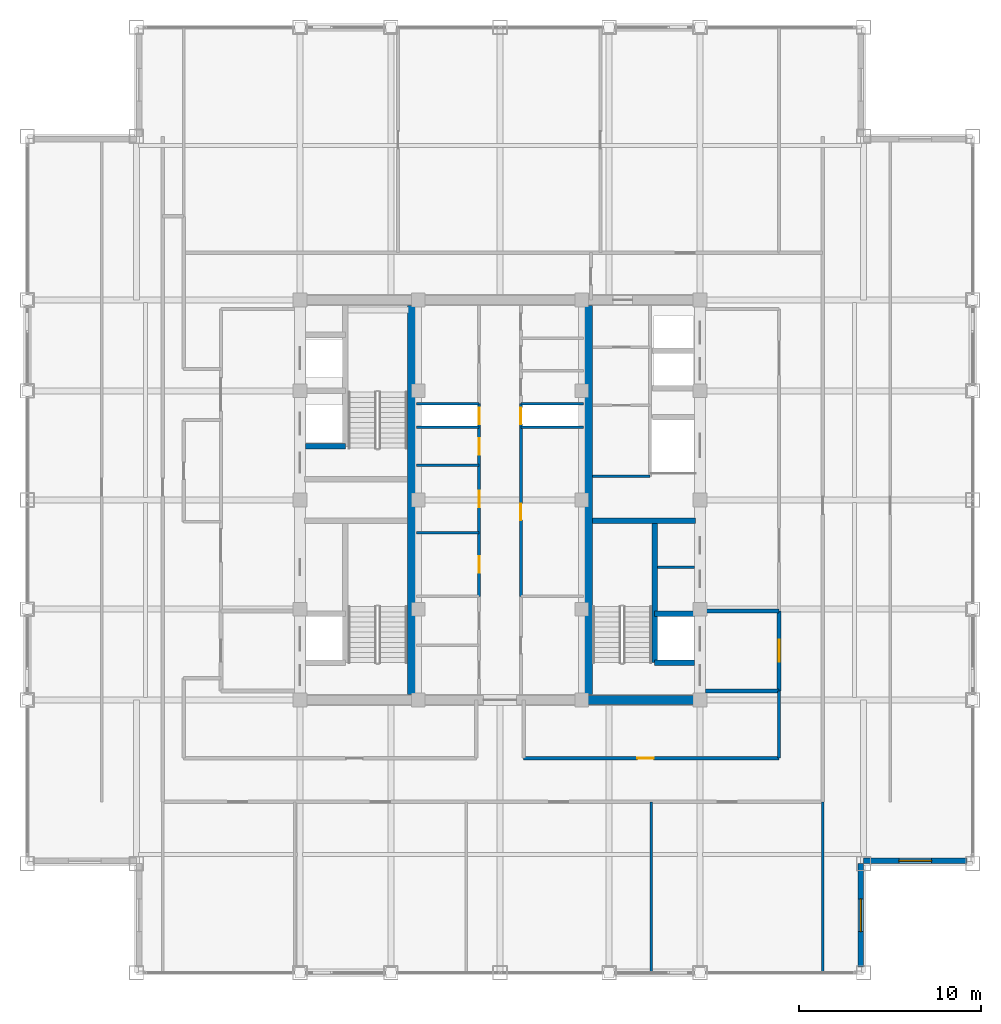
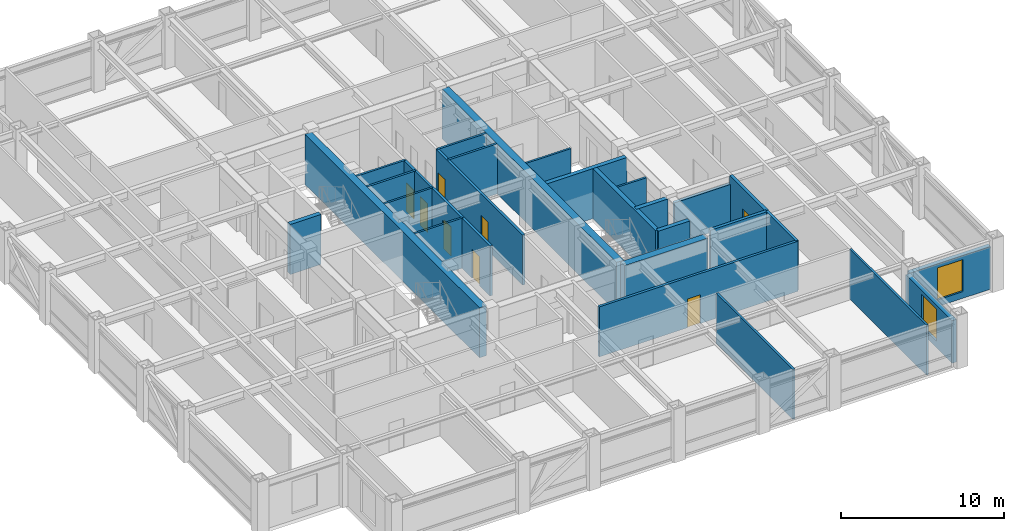
# One storey, part 25 of 28: 27 walls, 8 doors, 2 windows, 10 openings.
"""IFC4 building model written with IfcOpenShell, lengths in metres."""

from ifc_helpers import new_model, si_unit, direction, frame, frame_2d, origin, place, context, subcontext, project, spatial, rectangle, extrude, source, transform, mapped, material, layer, layer_set, type_object, element, fill, save


model = new_model("IFC4")

# Units and contexts
model_context = context("Model", 3, precision=1e-05, world=origin(), true_north=direction((0.0, 1.0)))
body_context = subcontext(model_context, "Body", "Model", "MODEL_VIEW")
ifc_project = project(units=[si_unit("LENGTHUNIT", "METRE"), si_unit("AREAUNIT", "SQUARE_METRE"), si_unit("VOLUMEUNIT", "CUBIC_METRE"), si_unit("PLANEANGLEUNIT", "RADIAN"), si_unit("MASSUNIT", "GRAM", prefix="KILO")], contexts=[model_context])

# Site, building, storey
site_placement = place(None, origin())
site = spatial("IfcSite", under=ifc_project, at=site_placement, CompositionType="ELEMENT")
building_placement = place(site_placement, origin())
building = spatial("IfcBuilding", under=site, at=building_placement, Name="Khorayat Bourse Tower", CompositionType="ELEMENT")
storey_placement = place(building_placement, frame((0.0, 0.0, 330.300048828125)))
storey = spatial("IfcBuildingStorey", under=building, at=storey_placement, Name="L78", CompositionType="ELEMENT", Elevation=330.300048828125)

# Walls
ifc_material_1 = material(Name="Concrete C52/65", Category="concrete")
ifc_layer_1 = layer(ifc_material_1, 0.5)
ifc_layer_set_1 = layer_set([ifc_layer_1], Name="Concrete C52/65")
wall_type_1 = type_object("IfcWallType", Name="WAL-CORE-500", PredefinedType="SHEAR", material=ifc_layer_set_1)
shared_shape_1 = source(origin(), body_context, "Body", "SweptSolid", [
    extrude(rectangle(XDim=21.39990234375, YDim=0.5, at=frame_2d((10.699951171875, 0.0))), origin(), (0.0, 0.0, 1.0), 3.739990234375),
])
for number, where, z_axis, x_axis, name in (
    (1, (-4.85009765625, -10.699951171875, 0.0), (0.0, 0.0, 1.0), (0.0, 1.0, 0.0), "L78 Core Shear Wall PIER-W"),
    (2, (4.85009765625, -10.699951171875, 0.0), (0.0, 0.0, 1.0), (0.0, 1.0, 0.0), "L78 Core Shear Wall PIER-E"),
):
    element("IfcWall", number, at=place(storey_placement, frame(where, z_axis=z_axis, x_axis=x_axis)), inside=storey, type_object=wall_type_1, Name=name, PredefinedType="SHEAR", context=body_context, shape_type="MappedRepresentation", body=[
        mapped(shared_shape_1, transform((0.0, 0.0, 0.0), scale=1.0)),
    ])
shared_shape_2 = source(origin(), body_context, "Body", "SweptSolid", [
    extrude(rectangle(XDim=5.89990234375, YDim=0.5, at=frame_2d((2.949951171875, 0.0))), origin(), (0.0, 0.0, 1.0), 3.739990234375),
])
wall_1_placement = place(storey_placement, frame((4.85009765625, -11.0, 0.0), z_axis=(0.0, 0.0, 1.0), x_axis=(1.0, 0.0, 0.0)))
element("IfcWall", 3, at=wall_1_placement, inside=storey, type_object=wall_type_1, Name="L78 Core Shear Wall PIER-ES", PredefinedType="SHEAR", context=body_context, shape_type="MappedRepresentation", body=[
    mapped(shared_shape_2, transform((0.0, 0.0, 0.0), scale=1.0)),
])
ifc_material_2 = material(Name="Concrete C50/60", Category="concrete")
ifc_layer_2 = layer(ifc_material_2, 0.300048828125)
ifc_layer_set_2 = layer_set([ifc_layer_2], Name="Concrete C50/60")
wall_type_2 = type_object("IfcWallType", Name="WAL-SHAFT-300", PredefinedType="SHEAR", material=ifc_layer_set_2)
shared_shape_3 = source(origin(), body_context, "Body", "SweptSolid", [
    extrude(rectangle(XDim=5.64990234375, YDim=0.300048828125, at=frame_2d((2.824951171875, 0.0))), origin(), (0.0, 0.0, 1.0), 3.739990234375),
])
wall_2_placement = place(storey_placement, frame((5.10009765625, -1.14990234375, 0.0), z_axis=(0.0, 0.0, 1.0), x_axis=(1.0, 0.0, 0.0)))
element("IfcWall", 4, at=wall_2_placement, inside=storey, type_object=wall_type_2, Name="L78 Core Shear Wall ST3-DIV", PredefinedType="SHEAR", context=body_context, shape_type="MappedRepresentation", body=[
    mapped(shared_shape_3, transform((0.0, 0.0, 0.0), scale=1.0)),
])

# Wall, opening, window
ifc_material_3 = material(Name="Precast concrete C45/55", Category="concrete")
ifc_layer_3 = layer(ifc_material_3, 0.320068359375)
ifc_layer_set_3 = layer_set([ifc_layer_3], Name="Precast concrete C45/55")
wall_type_3 = type_object("IfcWallType", Name="WAL-EXT-STONE-320", PredefinedType="STANDARD", material=ifc_layer_set_3)
shared_shape_4 = source(origin(), body_context, "Body", "SweptSolid", [
    extrude(rectangle(XDim=5.679931640625, YDim=0.320068359375, at=frame_2d((2.83984375, 0.0))), origin(), (0.0, 0.0, 1.0), 3.19091796875),
])
wall_3_placement = place(storey_placement, frame((19.840087890625, -25.679931640625, 0.0), z_axis=(0.0, 0.0, 1.0), x_axis=(0.0, 1.0, 0.0)))
wall_3 = element("IfcWall", 5, at=wall_3_placement, inside=storey, type_object=wall_type_3, Name="L78 Re-Entrant Notch Limestone Wall SE-V", PredefinedType="STANDARD", context=body_context, shape_type="MappedRepresentation", body=[
    mapped(shared_shape_4, transform((0.0, 0.0, 0.0), scale=1.0)),
])
shared_shape_5 = source(origin(), body_context, "Body", "SweptSolid", [
    extrude(rectangle(XDim=1.800048828125, YDim=2.39990234375, at=frame_2d((0.89990234375, 1.199951171875))), frame((0.0, 0.169921875, 0.0), z_axis=(0.0, -1.0, 0.0), x_axis=(1.0, 0.0, 0.0)), (0.0, 0.0, 1.0), 0.340087890625),
])
opening_1_placement = place(wall_3_placement, frame((1.93994140625, 0.0, 0.5)))
opening_1 = element("IfcOpeningElement", 6, at=opening_1_placement, cuts=wall_3, Name="Opening WN-04", PredefinedType="OPENING", context=body_context, shape_type="MappedRepresentation", body=[
    mapped(shared_shape_5, transform((0.0, 0.0, 0.0), scale=1.0)),
])
ifc_material_4 = material(Name="Low-E acoustic laminated double glazing", Category="glass")
window_type = type_object("IfcWindowType", Name="WIN-NOTCH-1800x2400", PartitioningType="SINGLE_PANEL", PredefinedType="WINDOW", material=ifc_material_4)
shared_shape_6 = source(origin(), body_context, "Body", "SweptSolid", [
    extrude(rectangle(XDim=1.800048828125, YDim=2.39990234375, at=frame_2d((0.89990234375, 1.199951171875))), frame((0.0, 0.030029296875, 0.0), z_axis=(0.0, -1.0, 0.0), x_axis=(1.0, 0.0, 0.0)), (0.0, 0.0, 1.0), 0.06005859375),
])
window_1_placement = place(opening_1_placement, origin())
window_1 = element("IfcWindow", 7, at=window_1_placement, inside=storey, type_object=window_type, Name="L78 Facade Window 1", OverallHeight=2.39990234375, OverallWidth=1.800048828125, PartitioningType="SINGLE_PANEL", PredefinedType="WINDOW", context=body_context, shape_type="MappedRepresentation", body=[
    mapped(shared_shape_6, transform((0.0, 0.0, 0.0), scale=1.0)),
])
fill(opening_1, window_1)

wall_4_placement = place(storey_placement, frame((20.0, -19.840087890625, 0.0), z_axis=(0.0, 0.0, 1.0), x_axis=(1.0, 0.0, 0.0)))
wall_4 = element("IfcWall", 8, at=wall_4_placement, inside=storey, type_object=wall_type_3, Name="L78 Re-Entrant Notch Limestone Wall SE-H", PredefinedType="STANDARD", context=body_context, shape_type="MappedRepresentation", body=[
    mapped(shared_shape_4, transform((0.0, 0.0, 0.0), scale=1.0)),
])
opening_2_placement = place(wall_4_placement, frame((1.93994140625, 0.0, 0.5)))
opening_2 = element("IfcOpeningElement", 9, at=opening_2_placement, cuts=wall_4, Name="Opening WN-04", PredefinedType="OPENING", context=body_context, shape_type="MappedRepresentation", body=[
    mapped(shared_shape_5, transform((0.0, 0.0, 0.0), scale=1.0)),
])
window_2_placement = place(opening_2_placement, origin())
window_2 = element("IfcWindow", 10, at=window_2_placement, inside=storey, type_object=window_type, Name="L78 Facade Window 1", OverallHeight=2.39990234375, OverallWidth=1.800048828125, PartitioningType="SINGLE_PANEL", PredefinedType="WINDOW", context=body_context, shape_type="MappedRepresentation", body=[
    mapped(shared_shape_6, transform((0.0, 0.0, 0.0), scale=1.0)),
])
fill(opening_2, window_2)

# Walls
shared_shape_7 = source(origin(), body_context, "Body", "SweptSolid", [
    extrude(rectangle(XDim=7.800048828125, YDim=0.300048828125, at=frame_2d((3.89990234375, 0.0))), origin(), (0.0, 0.0, 1.0), 3.739990234375),
])
wall_5_placement = place(storey_placement, frame((8.5, -8.949951171875, 0.0), z_axis=(0.0, 0.0, 1.0), x_axis=(0.0, 1.0, 0.0)))
element("IfcWall", 11, at=wall_5_placement, inside=storey, type_object=wall_type_2, Name="L78 Partition WAL-L78-EPIER-SP", PredefinedType="SHEAR", context=body_context, shape_type="MappedRepresentation", body=[
    mapped(shared_shape_7, transform((0.0, 0.0, 0.0), scale=1.0)),
])
shared_shape_8 = source(origin(), body_context, "Body", "SweptSolid", [
    extrude(rectangle(XDim=2.199951171875, YDim=0.300048828125, at=frame_2d((1.10009765625, 0.0))), origin(), (0.0, 0.0, 1.0), 3.739990234375),
])
for number, where, z_axis, x_axis, name in (
    (12, (-10.699951171875, 2.949951171875, 0.0), (0.0, 0.0, 1.0), (1.0, 0.0, 0.0), "L78 Partition WAL-L78-WPIER-H1S"),
    (13, (8.5, -8.949951171875, 0.0), (0.0, 0.0, 1.0), (1.0, 0.0, 0.0), "L78 Partition WAL-L78-EPIER-FF2S"),
    (14, (8.5, -6.25, 0.0), (0.0, 0.0, 1.0), (1.0, 0.0, 0.0), "L78 Partition WAL-L78-EPIER-FF2N"),
):
    element("IfcWall", number, at=place(storey_placement, frame(where, z_axis=z_axis, x_axis=x_axis)), inside=storey, type_object=wall_type_2, Name=name, PredefinedType="SHEAR", context=body_context, shape_type="MappedRepresentation", body=[
        mapped(shared_shape_8, transform((0.0, 0.0, 0.0), scale=1.0)),
    ])
ifc_material_5 = material(Name="Gypsum plasterboard twin-frame partition")
ifc_layer_4 = layer(ifc_material_5, 0.14990234375)
ifc_layer_set_4 = layer_set([ifc_layer_4], Name="Gypsum plasterboard twin-frame partition")
wall_type_4 = type_object("IfcWallType", Name="WAL-PART-SUITE-150", PredefinedType="PARTITIONING", material=ifc_layer_set_4)
shared_shape_9 = source(origin(), body_context, "Body", "SweptSolid", [
    extrude(rectangle(XDim=2.050048828125, YDim=0.14990234375, at=frame_2d((1.02490234375, 0.0))), origin(), (0.0, 0.0, 1.0), 3.739990234375),
])
wall_6_placement = place(storey_placement, frame((8.64990234375, -3.699951171875, 0.0), z_axis=(0.0, 0.0, 1.0), x_axis=(1.0, 0.0, 0.0)))
element("IfcWall", 15, at=wall_6_placement, inside=storey, type_object=wall_type_4, Name="L78 Partition WAL-L78-ESRV-D1", PredefinedType="PARTITIONING", context=body_context, shape_type="MappedRepresentation", body=[
    mapped(shared_shape_9, transform((0.0, 0.0, 0.0), scale=1.0)),
])
ifc_material_6 = material(Name="Moisture-resistant masonry partition", Category="masonry")
ifc_layer_5 = layer(ifc_material_6, 0.139892578125)
ifc_layer_set_5 = layer_set([ifc_layer_5], Name="Moisture-resistant masonry partition")
wall_type_5 = type_object("IfcWallType", Name="WAL-PART-WET-140", PredefinedType="PARTITIONING", material=ifc_layer_set_5)
shared_shape_10 = source(origin(), body_context, "Body", "SweptSolid", [
    extrude(rectangle(XDim=3.14990234375, YDim=0.139892578125, at=frame_2d((1.574951171875, 0.0))), origin(), (0.0, 0.0, 1.0), 3.739990234375),
])
wall_7_placement = place(storey_placement, frame((5.10009765625, 1.300048828125, 0.0), z_axis=(0.0, 0.0, 1.0), x_axis=(1.0, 0.0, 0.0)))
element("IfcWall", 16, at=wall_7_placement, inside=storey, type_object=wall_type_5, Name="L78 Partition WAL-L78-ECORE-S", PredefinedType="PARTITIONING", context=body_context, shape_type="MappedRepresentation", body=[
    mapped(shared_shape_10, transform((0.0, 0.0, 0.0), scale=1.0)),
])
ifc_material_7 = material(Name="Aerated concrete blockwork", Category="masonry")
ifc_layer_6 = layer(ifc_material_7, 0.219970703125)
ifc_layer_set_6 = layer_set([ifc_layer_6], Name="Aerated concrete blockwork")
wall_type_6 = type_object("IfcWallType", Name="WAL-PART-FF-220", PredefinedType="PARTITIONING", material=ifc_layer_set_6)
shared_shape_11 = source(origin(), body_context, "Body", "SweptSolid", [
    extrude(rectangle(XDim=4.050048828125, YDim=0.219970703125, at=frame_2d((2.02490234375, 0.0))), origin(), (0.0, 0.0, 1.0), 3.739990234375),
])
wall_8_placement = place(storey_placement, frame((11.300048828125, -10.5, 0.0), z_axis=(0.0, 0.0, 1.0), x_axis=(1.0, 0.0, 0.0)))
element("IfcWall", 17, at=wall_8_placement, inside=storey, type_object=wall_type_6, Name="L78 Partition WAL-L78-FFLE-S", PredefinedType="PARTITIONING", context=body_context, shape_type="MappedRepresentation", body=[
    mapped(shared_shape_11, transform((0.0, 0.0, 0.0), scale=1.0)),
])
shared_shape_12 = source(origin(), body_context, "Body", "SweptSolid", [
    extrude(rectangle(XDim=4.050048828125, YDim=0.219970703125, at=frame_2d((2.02490234375, 0.0))), origin(), (0.0, 0.0, 1.0), 3.1240234375),
])
wall_9_placement = place(storey_placement, frame((11.300048828125, -6.10009765625, 0.0), z_axis=(0.0, 0.0, 1.0), x_axis=(1.0, 0.0, 0.0)))
element("IfcWall", 18, at=wall_9_placement, inside=storey, type_object=wall_type_6, Name="L78 Partition WAL-L78-FFLE-N", PredefinedType="PARTITIONING", context=body_context, shape_type="MappedRepresentation", body=[
    mapped(shared_shape_12, transform((0.0, 0.0, 0.0), scale=1.0)),
])

# Wall, opening, door
shared_shape_13 = source(origin(), body_context, "Body", "SweptSolid", [
    extrude(rectangle(XDim=4.39990234375, YDim=0.219970703125, at=frame_2d((2.199951171875, 0.0))), origin(), (0.0, 0.0, 1.0), 3.739990234375),
])
wall_10_placement = place(storey_placement, frame((15.35009765625, -10.5, 0.0), z_axis=(0.0, 0.0, 1.0), x_axis=(0.0, 1.0, 0.0)))
wall_10 = element("IfcWall", 19, at=wall_10_placement, inside=storey, type_object=wall_type_6, Name="L78 Partition WAL-L78-FFLE-E", PredefinedType="PARTITIONING", context=body_context, shape_type="MappedRepresentation", body=[
    mapped(shared_shape_13, transform((0.0, 0.0, 0.0), scale=1.0)),
])
shared_shape_14 = source(origin(), body_context, "Body", "SweptSolid", [
    extrude(rectangle(XDim=1.199951171875, YDim=2.199951171875, at=frame_2d((0.60009765625, 1.10009765625))), frame((0.0, 0.119873046875, 0.0), z_axis=(0.0, -1.0, 0.0), x_axis=(1.0, 0.0, 0.0)), (0.0, 0.0, 1.0), 0.239990234375),
])
opening_3_placement = place(wall_10_placement, frame((1.60009765625, 0.0, 0.0)))
opening_3 = element("IfcOpeningElement", 20, at=opening_3_placement, cuts=wall_10, Name="Opening DI-02", PredefinedType="OPENING", context=body_context, shape_type="MappedRepresentation", body=[
    mapped(shared_shape_14, transform((0.0, 0.0, 0.0), scale=1.0)),
])
ifc_material_8 = material(Name="Fire-rated steel double-seal leaf", Category="steel")
door_type_1 = type_object("IfcDoorType", Name="DR-INT-FFLOBBY-1200", OperationType="NOTDEFINED", PredefinedType="DOOR", material=ifc_material_8)
shared_shape_15 = source(origin(), body_context, "Body", "SweptSolid", [
    extrude(rectangle(XDim=1.199951171875, YDim=2.199951171875, at=frame_2d((0.60009765625, 1.10009765625))), frame((0.0, 0.02490234375, 0.0), z_axis=(0.0, -1.0, 0.0), x_axis=(1.0, 0.0, 0.0)), (0.0, 0.0, 1.0), 0.050048828125),
])
door_1_placement = place(opening_3_placement, origin())
door_1 = element("IfcDoor", 21, at=door_1_placement, inside=storey, type_object=door_type_1, Name="L78 East Firefighting Lobby Door", OperationType="SINGLE_SWING_RIGHT", OverallHeight=2.199951171875, OverallWidth=1.199951171875, PredefinedType="DOOR", context=body_context, shape_type="MappedRepresentation", body=[
    mapped(shared_shape_15, transform((0.0, 0.0, 0.0), scale=1.0)),
])
fill(opening_3, door_1)

# Walls
shared_shape_16 = source(origin(), body_context, "Body", "SweptSolid", [
    extrude(rectangle(XDim=3.4501953125, YDim=0.14990234375, at=frame_2d((1.72509765625, 0.0))), origin(), (0.0, 0.0, 1.0), 3.739990234375),
])
for number, where, z_axis, x_axis, name in (
    (22, (-4.60009765625, 4.0, 0.0), (0.0, 0.0, 1.0), (1.0, 0.0, 0.0), "L78 Partition WAL-L78-CRSW-S"),
    (23, (1.14990234375, 4.0, 0.0), (0.0, 0.0, 1.0), (1.0, 0.0, 0.0), "L78 Partition WAL-L78-CRSE-S"),
    (24, (-4.60009765625, 5.300048828125, 0.0), (0.0, 0.0, 1.0), (1.0, 0.0, 0.0), "L78 Partition WAL-L78-FB2-SW"),
    (25, (1.14990234375, 5.300048828125, 0.0), (0.0, 0.0, 1.0), (1.0, 0.0, 0.0), "L78 Partition WAL-L78-FB2-SE"),
):
    element("IfcWall", number, at=place(storey_placement, frame(where, z_axis=z_axis, x_axis=x_axis)), inside=storey, type_object=wall_type_4, Name=name, PredefinedType="PARTITIONING", context=body_context, shape_type="MappedRepresentation", body=[
        mapped(shared_shape_16, transform((0.0, 0.0, 0.0), scale=1.0)),
    ])
shared_shape_17 = source(origin(), body_context, "Body", "SweptSolid", [
    extrude(rectangle(XDim=3.4501953125, YDim=0.139892578125, at=frame_2d((1.72509765625, 0.0))), origin(), (0.0, 0.0, 1.0), 3.739990234375),
])
for number, where, z_axis, x_axis, name in (
    (26, (-4.60009765625, -1.800048828125, 0.0), (0.0, 0.0, 1.0), (1.0, 0.0, 0.0), "L78 Partition WAL-L78-CMW-D1"),
    (27, (-4.60009765625, 1.89990234375, 0.0), (0.0, 0.0, 1.0), (1.0, 0.0, 0.0), "L78 Partition WAL-L78-CMW-D2"),
):
    element("IfcWall", number, at=place(storey_placement, frame(where, z_axis=z_axis, x_axis=x_axis)), inside=storey, type_object=wall_type_5, Name=name, PredefinedType="PARTITIONING", context=body_context, shape_type="MappedRepresentation", body=[
        mapped(shared_shape_17, transform((0.0, 0.0, 0.0), scale=1.0)),
    ])

# Wall, openings, doors
ifc_material_9 = material(Name="Gypsum plasterboard acoustic stud wall")
ifc_layer_7 = layer(ifc_material_9, 0.179931640625)
ifc_layer_set_7 = layer_set([ifc_layer_7], Name="Gypsum plasterboard acoustic stud wall")
wall_type_7 = type_object("IfcWallType", Name="WAL-PART-CORR-180", PredefinedType="PARTITIONING", material=ifc_layer_set_7)
shared_shape_18 = source(origin(), body_context, "Body", "SweptSolid", [
    extrude(rectangle(XDim=10.60009765625, YDim=0.179931640625, at=frame_2d((5.300048828125, 0.0))), origin(), (0.0, 0.0, 1.0), 3.739990234375),
])
wall_11_placement = place(storey_placement, frame((-1.14990234375, -5.300048828125, 0.0), z_axis=(0.0, 0.0, 1.0), x_axis=(0.0, 1.0, 0.0)))
wall_11 = element("IfcWall", 28, at=wall_11_placement, inside=storey, type_object=wall_type_7, Name="L78 Partition WAL-L78-CMW-L", PredefinedType="PARTITIONING", context=body_context, shape_type="MappedRepresentation", body=[
    mapped(shared_shape_18, transform((0.0, 0.0, 0.0), scale=1.0)),
])
shared_shape_19 = source(origin(), body_context, "Body", "SweptSolid", [
    extrude(rectangle(XDim=0.89990234375, YDim=2.14990234375, at=frame_2d((0.449951171875, 1.074951171875))), frame((0.0, 0.099853515625, 0.0), z_axis=(0.0, -1.0, 0.0), x_axis=(1.0, 0.0, 0.0)), (0.0, 0.0, 1.0), 0.199951171875),
])
opening_4_placement = place(wall_11_placement, frame((1.300048828125, 0.0, 0.0)))
opening_4 = element("IfcOpeningElement", 29, at=opening_4_placement, cuts=wall_11, Name="Opening DI-06", PredefinedType="OPENING", context=body_context, shape_type="MappedRepresentation", body=[
    mapped(shared_shape_19, transform((0.0, 0.0, 0.0), scale=1.0)),
])
opening_5_placement = place(wall_11_placement, frame((4.89990234375, 0.0, 0.0)))
opening_5 = element("IfcOpeningElement", 30, at=opening_5_placement, cuts=wall_11, Name="Opening DI-06", PredefinedType="OPENING", context=body_context, shape_type="MappedRepresentation", body=[
    mapped(shared_shape_19, transform((0.0, 0.0, 0.0), scale=1.0)),
])
opening_6_placement = place(wall_11_placement, frame((7.800048828125, 0.0, 0.0)))
opening_6 = element("IfcOpeningElement", 31, at=opening_6_placement, cuts=wall_11, Name="Opening DI-06", PredefinedType="OPENING", context=body_context, shape_type="MappedRepresentation", body=[
    mapped(shared_shape_19, transform((0.0, 0.0, 0.0), scale=1.0)),
])
opening_7_placement = place(wall_11_placement, frame((9.47509765625, 0.0, 0.0)))
opening_7 = element("IfcOpeningElement", 32, at=opening_7_placement, cuts=wall_11, Name="Opening DI-06", PredefinedType="OPENING", context=body_context, shape_type="MappedRepresentation", body=[
    mapped(shared_shape_19, transform((0.0, 0.0, 0.0), scale=1.0)),
])
ifc_material_10 = material(Name="Moisture-resistant laminate washroom door")
door_type_2 = type_object("IfcDoorType", Name="DR-INT-WC-900", OperationType="NOTDEFINED", PredefinedType="DOOR", material=ifc_material_10)
shared_shape_20 = source(origin(), body_context, "Body", "SweptSolid", [
    extrude(rectangle(XDim=0.89990234375, YDim=2.14990234375, at=frame_2d((0.449951171875, 1.074951171875))), frame((0.0, 0.02490234375, 0.0), z_axis=(0.0, -1.0, 0.0), x_axis=(1.0, 0.0, 0.0)), (0.0, 0.0, 1.0), 0.050048828125),
])
door_2_placement = place(opening_4_placement, origin())
door_2 = element("IfcDoor", 33, at=door_2_placement, inside=storey, type_object=door_type_2, Name="L78 Male Core Washroom Door", OperationType="SINGLE_SWING_RIGHT", OverallHeight=2.14990234375, OverallWidth=0.89990234375, PredefinedType="DOOR", context=body_context, shape_type="MappedRepresentation", body=[
    mapped(shared_shape_20, transform((0.0, 0.0, 0.0), scale=1.0)),
])
fill(opening_4, door_2)
door_3_placement = place(opening_5_placement, origin())
door_3 = element("IfcDoor", 34, at=door_3_placement, inside=storey, type_object=door_type_2, Name="L78 AHU Fan Plant Room Door", OperationType="SINGLE_SWING_LEFT", OverallHeight=2.14990234375, OverallWidth=0.89990234375, PredefinedType="DOOR", context=body_context, shape_type="MappedRepresentation", body=[
    mapped(shared_shape_20, transform((0.0, 0.0, 0.0), scale=1.0)),
])
fill(opening_5, door_3)
door_4_placement = place(opening_6_placement, origin())
door_4 = element("IfcDoor", 35, at=door_4_placement, inside=storey, type_object=door_type_2, Name="L78 Janitor Store Door", OperationType="SINGLE_SWING_RIGHT", OverallHeight=2.14990234375, OverallWidth=0.89990234375, PredefinedType="DOOR", context=body_context, shape_type="MappedRepresentation", body=[
    mapped(shared_shape_20, transform((0.0, 0.0, 0.0), scale=1.0)),
])
fill(opening_6, door_4)
door_5_placement = place(opening_7_placement, origin())
door_5 = element("IfcDoor", 36, at=door_5_placement, inside=storey, type_object=door_type_2, Name="L78 West Core Riser Door", OperationType="SINGLE_SWING_LEFT", OverallHeight=2.14990234375, OverallWidth=0.89990234375, PredefinedType="DOOR", context=body_context, shape_type="MappedRepresentation", body=[
    mapped(shared_shape_20, transform((0.0, 0.0, 0.0), scale=1.0)),
])
fill(opening_7, door_5)

wall_12_placement = place(storey_placement, frame((1.14990234375, -5.300048828125, 0.0), z_axis=(0.0, 0.0, 1.0), x_axis=(0.0, 1.0, 0.0)))
wall_12 = element("IfcWall", 37, at=wall_12_placement, inside=storey, type_object=wall_type_7, Name="L78 Partition WAL-L78-CME-L", PredefinedType="PARTITIONING", context=body_context, shape_type="MappedRepresentation", body=[
    mapped(shared_shape_18, transform((0.0, 0.0, 0.0), scale=1.0)),
])
opening_8_placement = place(wall_12_placement, frame((4.199951171875, 0.0, 0.0)))
opening_8 = element("IfcOpeningElement", 38, at=opening_8_placement, cuts=wall_12, Name="Opening DI-06", PredefinedType="OPENING", context=body_context, shape_type="MappedRepresentation", body=[
    mapped(shared_shape_19, transform((0.0, 0.0, 0.0), scale=1.0)),
])
opening_9_placement = place(wall_12_placement, frame((9.47509765625, 0.0, 0.0)))
opening_9 = element("IfcOpeningElement", 39, at=opening_9_placement, cuts=wall_12, Name="Opening DI-06", PredefinedType="OPENING", context=body_context, shape_type="MappedRepresentation", body=[
    mapped(shared_shape_19, transform((0.0, 0.0, 0.0), scale=1.0)),
])
door_6_placement = place(opening_8_placement, origin())
door_6 = element("IfcDoor", 40, at=door_6_placement, inside=storey, type_object=door_type_2, Name="L78 Female Core Washroom Door", OperationType="SINGLE_SWING_RIGHT", OverallHeight=2.14990234375, OverallWidth=0.89990234375, PredefinedType="DOOR", context=body_context, shape_type="MappedRepresentation", body=[
    mapped(shared_shape_20, transform((0.0, 0.0, 0.0), scale=1.0)),
])
fill(opening_8, door_6)
door_7_placement = place(opening_9_placement, origin())
door_7 = element("IfcDoor", 41, at=door_7_placement, inside=storey, type_object=door_type_2, Name="L78 East Core Riser Door", OperationType="SINGLE_SWING_RIGHT", OverallHeight=2.14990234375, OverallWidth=0.89990234375, PredefinedType="DOOR", context=body_context, shape_type="MappedRepresentation", body=[
    mapped(shared_shape_20, transform((0.0, 0.0, 0.0), scale=1.0)),
])
fill(opening_9, door_7)

# Wall, opening, door
shared_shape_21 = source(origin(), body_context, "Body", "SweptSolid", [
    extrude(rectangle(XDim=14.050048828125, YDim=0.179931640625, at=frame_2d((7.02490234375, 0.0))), origin(), (0.0, 0.0, 1.0), 3.739990234375),
])
wall_13_placement = place(storey_placement, frame((1.300048828125, -14.199951171875, 0.0), z_axis=(0.0, 0.0, 1.0), x_axis=(1.0, 0.0, 0.0)))
wall_13 = element("IfcWall", 42, at=wall_13_placement, inside=storey, type_object=wall_type_7, Name="L78 Partition WAL-L78-PKSE-S", PredefinedType="PARTITIONING", context=body_context, shape_type="MappedRepresentation", body=[
    mapped(shared_shape_21, transform((0.0, 0.0, 0.0), scale=1.0)),
])
opening_10_placement = place(wall_13_placement, frame((6.25, 0.0, 0.0)))
opening_10 = element("IfcOpeningElement", 43, at=opening_10_placement, cuts=wall_13, Name="Opening DI-06", PredefinedType="OPENING", context=body_context, shape_type="MappedRepresentation", body=[
    mapped(shared_shape_19, transform((0.0, 0.0, 0.0), scale=1.0)),
])
door_8_placement = place(opening_10_placement, origin())
door_8 = element("IfcDoor", 44, at=door_8_placement, inside=storey, type_object=door_type_2, Name="L78 SE Inboard Study Door", OperationType="SINGLE_SWING_RIGHT", OverallHeight=2.14990234375, OverallWidth=0.89990234375, PredefinedType="DOOR", context=body_context, shape_type="MappedRepresentation", body=[
    mapped(shared_shape_20, transform((0.0, 0.0, 0.0), scale=1.0)),
])
fill(opening_10, door_8)

# Walls
shared_shape_22 = source(origin(), body_context, "Body", "SweptSolid", [
    extrude(rectangle(XDim=3.699951171875, YDim=0.179931640625, at=frame_2d((1.85009765625, 0.0))), origin(), (0.0, 0.0, 1.0), 3.739990234375),
])
wall_14_placement = place(storey_placement, frame((15.35009765625, -14.199951171875, 0.0), z_axis=(0.0, 0.0, 1.0), x_axis=(0.0, 1.0, 0.0)))
element("IfcWall", 45, at=wall_14_placement, inside=storey, type_object=wall_type_7, Name="L78 Partition WAL-L78-PKSE-E", PredefinedType="PARTITIONING", context=body_context, shape_type="MappedRepresentation", body=[
    mapped(shared_shape_22, transform((0.0, 0.0, 0.0), scale=1.0)),
])
shared_shape_23 = source(origin(), body_context, "Body", "SweptSolid", [
    extrude(rectangle(XDim=9.39990234375, YDim=0.14990234375, at=frame_2d((4.699951171875, 0.0))), origin(), (0.0, 0.0, 1.0), 3.739990234375),
])
for number, where, z_axis, x_axis, name in (
    (46, (8.31201171875, -26.0, 0.0), (0.0, 0.0, 1.0), (0.0, 1.0, 0.0), "L78 Partition WAL-L78-SDV-3"),
    (47, (17.75, -26.0, 0.0), (0.0, 0.0, 1.0), (0.0, 1.0, 0.0), "L78 Partition WAL-L78-SCE-END"),
):
    element("IfcWall", number, at=place(storey_placement, frame(where, z_axis=z_axis, x_axis=x_axis)), inside=storey, type_object=wall_type_4, Name=name, PredefinedType="PARTITIONING", context=body_context, shape_type="MappedRepresentation", body=[
        mapped(shared_shape_23, transform((0.0, 0.0, 0.0), scale=1.0)),
    ])

save(model, "model.ifc")
